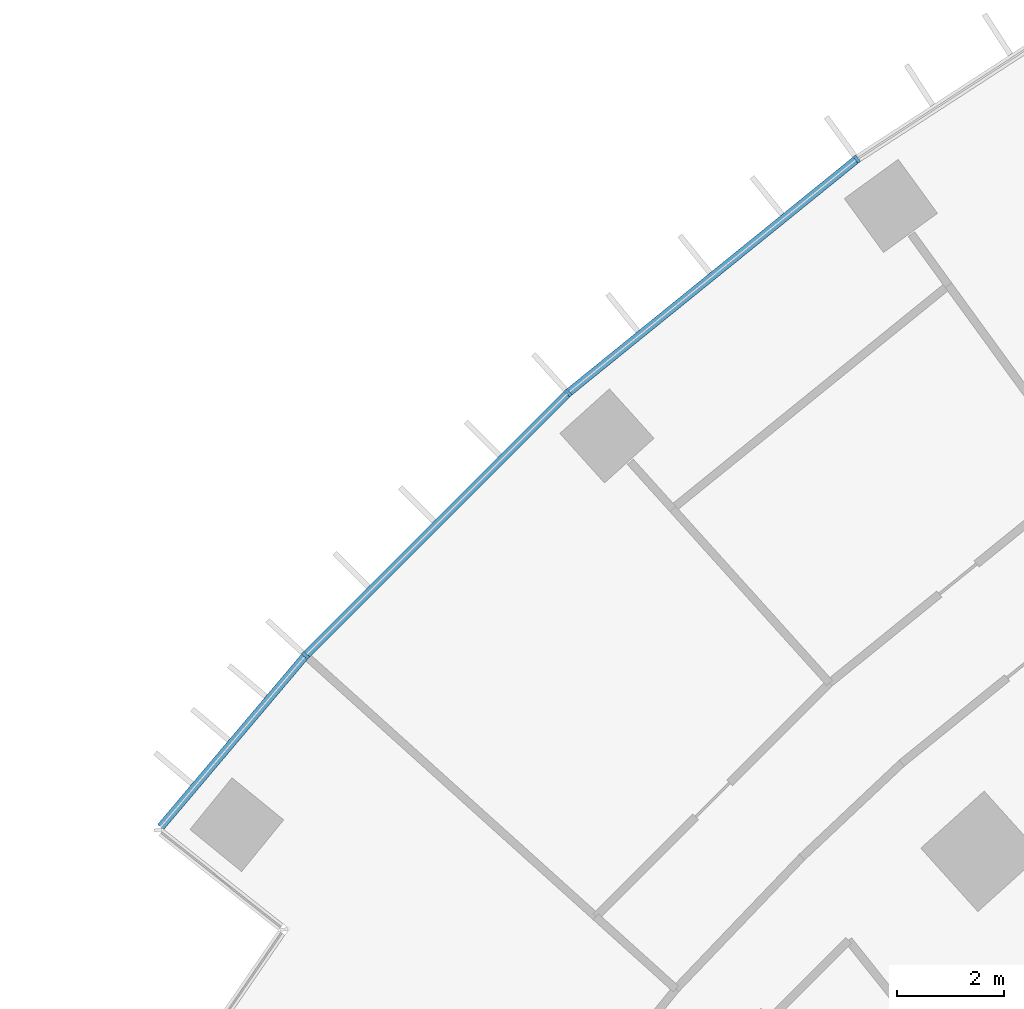
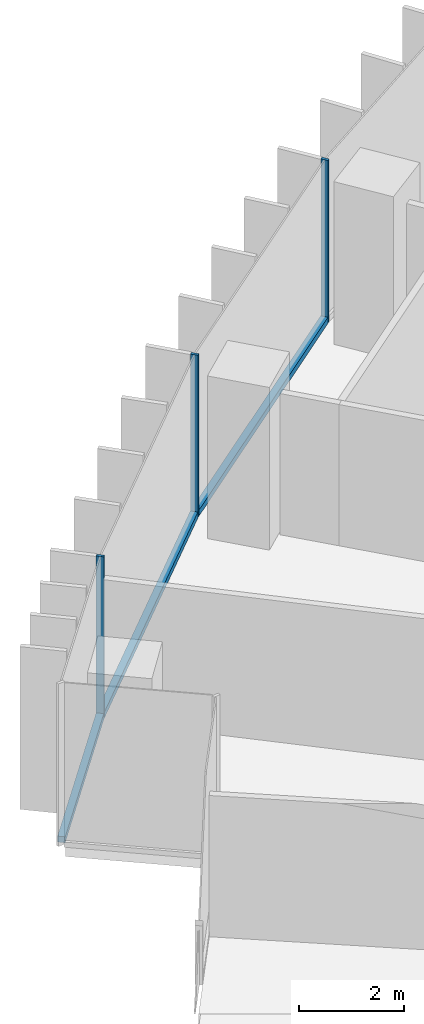
# One storey, part 4 of 24: 6 members, 1 element without a shape of its own.
"""IFC4 building model written with IfcOpenShell, lengths in metres."""

from ifc_helpers import new_model, si_unit, direction, frame, origin, origin_2d, place, context, subcontext, project, spatial, rectangle, extrude, material, layer, layer_set, material_profile, profile_set, type_object, element, aggregate, save


model = new_model("IFC4")

# Units and contexts
model_context = context("Model", 3, precision=1e-05, world=origin(), true_north=direction((0.0, 1.0)))
body_context = subcontext(model_context, "Body", "Model", "MODEL_VIEW")
ifc_project = project(units=[si_unit("LENGTHUNIT", "METRE"), si_unit("AREAUNIT", "SQUARE_METRE"), si_unit("VOLUMEUNIT", "CUBIC_METRE"), si_unit("PLANEANGLEUNIT", "RADIAN"), si_unit("MASSUNIT", "GRAM", prefix="KILO")], contexts=[model_context])

# Site, building, storey
site_placement = place(None, origin())
site = spatial("IfcSite", under=ifc_project, at=site_placement, CompositionType="ELEMENT")
building_placement = place(site_placement, origin())
building = spatial("IfcBuilding", under=site, at=building_placement, Name="Stone Belt Terrace Tower", CompositionType="ELEMENT")
storey_placement = place(building_placement, frame((0.0, 0.0, 75.60009765625)))
storey = spatial("IfcBuildingStorey", under=building, at=storey_placement, Name="L18", CompositionType="ELEMENT", Elevation=75.60009765625)

# Curtain wall, members
ifc_material = material(Name="Aluminium 6063-T6 anodised frame", Category="aluminium")
ifc_layer = layer(ifc_material, 0.14990234375)
ifc_layer_set = layer_set([ifc_layer], Name="CW-A unitised convex-face curtain wall")
curtain_wall_type = type_object("IfcCurtainWallType", Name="CW-A unitised convex-face curtain wall", PredefinedType="NOTDEFINED", material=ifc_layer_set)
curtain_wall_placement = place(storey_placement, origin())
curtain_wall = element("IfcCurtainWall", 1, at=curtain_wall_placement, inside=storey, type_object=curtain_wall_type, Name="CW-A convex face L18", PredefinedType="NOTDEFINED")
ifc_material_profile_1 = material_profile(ifc_material, rectangle(XDim=0.14990234375, YDim=0.06005859375, at=origin_2d()), Name="Aluminium 6063-T6 60x150")
ifc_profile_set_1 = profile_set([ifc_material_profile_1], Name="Aluminium 6063-T6 anodised frame")
member_type_1 = type_object("IfcMemberType", Name="CW-A mullion 60 x 150", PredefinedType="MULLION", material=ifc_profile_set_1)
member_1_placement = place(storey_placement, frame((-39.1318359375, 53.8603515625, 0.0), z_axis=(0.0, 0.0, 1.0), x_axis=(0.587785252292, -0.809016994375, 0.0)))
member_1 = element("IfcMember", 2, at=member_1_placement, type_object=member_type_1, Name="CW-A mullion 15", PredefinedType="MULLION", context=body_context, shape_type="SweptSolid", body=[
    extrude(rectangle(XDim=0.14990234375, YDim=0.06005859375, at=origin_2d()), origin(), (0.0, 0.0, 1.0), 3.7998046875),
])
member_2_placement = place(storey_placement, frame((-44.54736328125, 49.474853515625, 0.0), z_axis=(0.0, 0.0, 1.0), x_axis=(0.669130606359, -0.743144825477, 0.0)))
member_2 = element("IfcMember", 3, at=member_2_placement, type_object=member_type_1, Name="CW-A mullion 16", PredefinedType="MULLION", context=body_context, shape_type="SweptSolid", body=[
    extrude(rectangle(XDim=0.14990234375, YDim=0.06005859375, at=origin_2d()), origin(), (0.0, 0.0, 1.0), 3.7998046875),
])
member_3_placement = place(storey_placement, frame((-49.474365234375, 44.548095703125, 0.0), z_axis=(0.0, 0.0, 1.0), x_axis=(0.73617076011, -0.676795842155, 0.0)))
member_3 = element("IfcMember", 4, at=member_3_placement, type_object=member_type_1, Name="CW-A mullion 17", PredefinedType="MULLION", context=body_context, shape_type="SweptSolid", body=[
    extrude(rectangle(XDim=0.14990234375, YDim=0.06005859375, at=origin_2d()), origin(), (0.0, 0.0, 1.0), 3.7998046875),
])
ifc_material_profile_2 = material_profile(ifc_material, rectangle(XDim=0.14990234375, YDim=0.139892578125, at=origin_2d()), Name="Aluminium 6063-T6 150x140")
ifc_profile_set_2 = profile_set([ifc_material_profile_2], Name="Aluminium 6063-T6 anodised frame")
member_type_2 = type_object("IfcMemberType", Name="CW-A transom 140 x 150", PredefinedType="USERDEFINED", material=ifc_profile_set_2)
member_4_placement = place(storey_placement, frame((-39.158203125, 53.839111328125, 0.06982421875), z_axis=(-0.777141048626, -0.629326457842, 0.0), x_axis=(0.629326457842, -0.777141048626, 0.0)))
member_4 = element("IfcMember", 5, at=member_4_placement, type_object=member_type_2, Name="CW-A transom 15.1", ObjectType="TRANSOM", PredefinedType="USERDEFINED", context=body_context, shape_type="SweptSolid", body=[
    extrude(rectangle(XDim=0.14990234375, YDim=0.139892578125, at=origin_2d()), origin(), (0.0, 0.0, 1.0), 6.900634765625),
])
member_5_placement = place(storey_placement, frame((-44.5712890625, 49.450927734375, 0.06982421875), z_axis=(-0.707106781187, -0.707106781187, 0.0), x_axis=(0.707106781187, -0.707106781187, 0.0)))
member_5 = element("IfcMember", 6, at=member_5_placement, type_object=member_type_2, Name="CW-A transom 16.1", ObjectType="TRANSOM", PredefinedType="USERDEFINED", context=body_context, shape_type="SweptSolid", body=[
    extrude(rectangle(XDim=0.14990234375, YDim=0.139892578125, at=origin_2d()), origin(), (0.0, 0.0, 1.0), 6.90087890625),
])
member_6_placement = place(storey_placement, frame((-49.495849609375, 44.522705078125, 0.06982421875), z_axis=(-0.645289935316, -0.763937758839, 0.0), x_axis=(0.763937758839, -0.645289935316, 0.0)))
member_6 = element("IfcMember", 7, at=member_6_placement, type_object=member_type_2, Name="CW-A transom 17.1", ObjectType="TRANSOM", PredefinedType="USERDEFINED", context=body_context, shape_type="SweptSolid", body=[
    extrude(rectangle(XDim=0.14990234375, YDim=0.139892578125, at=origin_2d()), origin(), (0.0, 0.0, 1.0), 4.17919921875),
])
aggregate(curtain_wall, [member_1, member_2, member_3, member_4, member_5, member_6])

save(model, "model.ifc")
